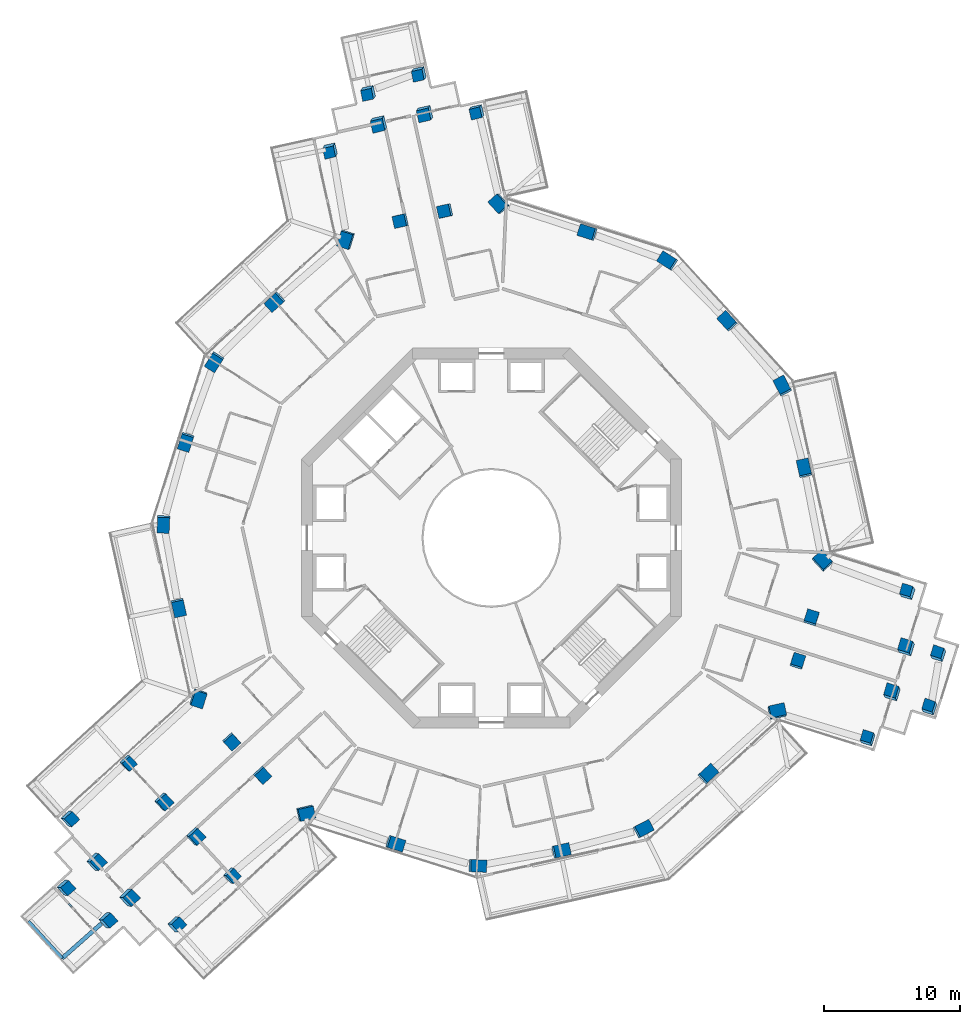
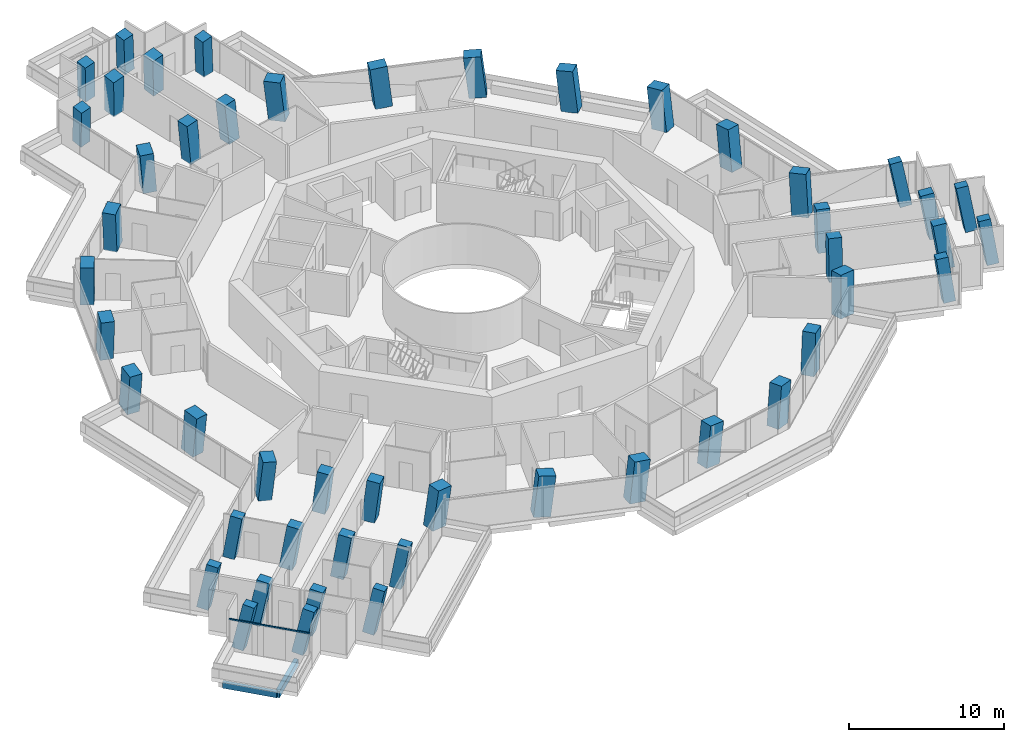
# One storey, part 1 of 24: 49 columns, 2 beams, 1 member, 1 element without a shape of its own.
"""IFC4 building model written with IfcOpenShell, lengths in metres."""

from ifc_helpers import new_model, si_unit, direction, frame, origin, origin_2d, place, context, subcontext, project, spatial, rectangle, extrude, material, layer, layer_set, material_profile, profile_set, type_object, element, aggregate, save


model = new_model("IFC4")

# Units and contexts
model_context = context("Model", 3, precision=1e-05, world=origin(), true_north=direction((0.0, 1.0)))
body_context = subcontext(model_context, "Body", "Model", "MODEL_VIEW")
ifc_project = project(units=[si_unit("LENGTHUNIT", "METRE"), si_unit("AREAUNIT", "SQUARE_METRE"), si_unit("VOLUMEUNIT", "CUBIC_METRE"), si_unit("PLANEANGLEUNIT", "RADIAN"), si_unit("MASSUNIT", "GRAM", prefix="KILO")], contexts=[model_context])

# Site, building, storey
site_placement = place(None, origin())
site = spatial("IfcSite", under=ifc_project, at=site_placement, CompositionType="ELEMENT")
building_placement = place(site_placement, origin())
building = spatial("IfcBuilding", under=site, at=building_placement, Name="Verdalira Terraces Hotel", CompositionType="ELEMENT")
storey_placement = place(building_placement, frame((0.0, 0.0, 86.0)))
storey = spatial("IfcBuildingStorey", under=building, at=storey_placement, Name="L19", CompositionType="ELEMENT", Elevation=86.0)

# Columns
ifc_material_1 = material(Name="Concrete C80", Category="concrete")
ifc_material_profile_1 = material_profile(ifc_material_1, rectangle(XDim=1.149902, YDim=0.899902, at=origin_2d()), Name="RC 1150X900")
ifc_profile_set_1 = profile_set([ifc_material_profile_1], Name="Concrete C80")
column_type_1 = type_object("IfcColumnType", Name="Column RC 1150X900 C80", PredefinedType="COLUMN", material=ifc_profile_set_1)
column_1_placement = place(storey_placement, frame((-10.685791, 21.995605, 0.0), z_axis=(-0.104141217, -0.051690531, 0.993218353), x_axis=(0.293489764, 0.952579581, 0.080348622)))
element("IfcColumn", 1, at=column_1_placement, inside=storey, type_object=column_type_1, Name="Column C03", PredefinedType="COLUMN", context=body_context, shape_type="SweptSolid", body=[
    extrude(rectangle(XDim=1.149902, YDim=0.899902, at=origin_2d()), origin(), (0.0, 0.0, 1.0), 3.21167),
])
column_2_placement = place(storey_placement, frame((-15.943604, 17.411621, 0.0), z_axis=(-0.08213443, -0.076582751, 0.993674503), x_axis=(-0.732490696, -0.671451632, -0.112294638)))
element("IfcColumn", 2, at=column_2_placement, inside=storey, type_object=column_type_1, Name="Column C04", PredefinedType="COLUMN", context=body_context, shape_type="SweptSolid", body=[
    extrude(rectangle(XDim=1.149902, YDim=0.899902, at=origin_2d()), origin(), (0.0, 0.0, 1.0), 3.210205),
])
column_3_placement = place(storey_placement, frame((-20.399414, 13.005859, 0.0), z_axis=(-0.061048974, -0.097541511, 0.993357275), x_axis=(0.534139029, 0.837529173, 0.115066858)))
element("IfcColumn", 3, at=column_3_placement, inside=storey, type_object=column_type_1, Name="Column C05", PredefinedType="COLUMN", context=body_context, shape_type="SweptSolid", body=[
    extrude(rectangle(XDim=1.149902, YDim=0.899902, at=origin_2d()), origin(), (0.0, 0.0, 1.0), 3.211182),
])
column_4_placement = place(storey_placement, frame((-22.513184, 7.106934, 0.0), z_axis=(-0.032929748, -0.107382919, 0.99367225), x_axis=(-0.299377243, -0.947501295, -0.11231457)))
element("IfcColumn", 4, at=column_4_placement, inside=storey, type_object=column_type_1, Name="Column C06", PredefinedType="COLUMN", context=body_context, shape_type="SweptSolid", body=[
    extrude(rectangle(XDim=1.149902, YDim=0.899902, at=origin_2d()), origin(), (0.0, 0.0, 1.0), 3.210205),
])
column_5_placement = place(storey_placement, frame((-24.169189, 1.063721, 0.0), z_axis=(-0.004105432, -0.114952103, 0.993362552), x_axis=(0.043881327, 0.992393334, 0.115021301)))
element("IfcColumn", 5, at=column_5_placement, inside=storey, type_object=column_type_1, Name="Column C07", PredefinedType="COLUMN", context=body_context, shape_type="SweptSolid", body=[
    extrude(rectangle(XDim=1.149902, YDim=0.899902, at=origin_2d()), origin(), (0.0, 0.0, 1.0), 3.211182),
])
column_6_placement = place(storey_placement, frame((-23.050537, -5.101807, 0.0), z_axis=(0.025248696, -0.109436366, 0.993673078), x_axis=(0.215163997, -0.970098725, -0.112307249)))
element("IfcColumn", 6, at=column_6_placement, inside=storey, type_object=column_type_1, Name="Column C08", PredefinedType="COLUMN", context=body_context, shape_type="SweptSolid", body=[
    extrude(rectangle(XDim=1.149902, YDim=0.899902, at=origin_2d()), origin(), (0.0, 0.0, 1.0), 3.210205),
])
column_7_placement = place(storey_placement, frame((-21.619873, -11.797119, 0.0), z_axis=(0.056930104, -0.102306968, 0.993122474), x_axis=(0.306699912, 0.94842803, 0.080121376)))
element("IfcColumn", 7, at=column_7_placement, inside=storey, type_object=column_type_1, Name="Column C09", PredefinedType="COLUMN", context=body_context, shape_type="SweptSolid", body=[
    extrude(rectangle(XDim=1.149902, YDim=0.899902, at=origin_2d()), origin(), (0.0, 0.0, 1.0), 3.211914),
])
column_8_placement = place(storey_placement, frame((-13.705811, -20.251709, 0.0), z_axis=(0.096843399, -0.064384897, 0.993214952), x_axis=(-0.971758684, -0.221869182, 0.080368695)))
element("IfcColumn", 8, at=column_8_placement, inside=storey, type_object=column_type_1, Name="Column C16", PredefinedType="COLUMN", context=body_context, shape_type="SweptSolid", body=[
    extrude(rectangle(XDim=1.149902, YDim=0.899902, at=origin_2d()), origin(), (0.0, 0.0, 1.0), 3.21167),
])
column_9_placement = place(storey_placement, frame((-7.106934, -22.513184, 0.0), z_axis=(0.107382919, -0.032929748, 0.99367225), x_axis=(0.947501295, -0.299377243, -0.11231457)))
element("IfcColumn", 9, at=column_9_placement, inside=storey, type_object=column_type_1, Name="Column C17", PredefinedType="COLUMN", context=body_context, shape_type="SweptSolid", body=[
    extrude(rectangle(XDim=1.149902, YDim=0.899902, at=origin_2d()), origin(), (0.0, 0.0, 1.0), 3.210205),
])
column_10_placement = place(storey_placement, frame((-1.063721, -24.169189, 0.0), z_axis=(0.114952103, -0.004105432, 0.993362552), x_axis=(-0.992393334, 0.043881327, 0.115021301)))
element("IfcColumn", 10, at=column_10_placement, inside=storey, type_object=column_type_1, Name="Column C18", PredefinedType="COLUMN", context=body_context, shape_type="SweptSolid", body=[
    extrude(rectangle(XDim=1.149902, YDim=0.899902, at=origin_2d()), origin(), (0.0, 0.0, 1.0), 3.211182),
])
column_11_placement = place(storey_placement, frame((5.101807, -23.050537, 0.0), z_axis=(0.109436366, 0.025248696, 0.993673078), x_axis=(0.970098725, 0.215163997, -0.112307249)))
element("IfcColumn", 11, at=column_11_placement, inside=storey, type_object=column_type_1, Name="Column C19", PredefinedType="COLUMN", context=body_context, shape_type="SweptSolid", body=[
    extrude(rectangle(XDim=1.149902, YDim=0.899902, at=origin_2d()), origin(), (0.0, 0.0, 1.0), 3.210205),
])
column_12_placement = place(storey_placement, frame((11.16333, -21.463135, 0.0), z_axis=(0.101646695, 0.053978424, 0.993355062), x_axis=(-0.881248043, -0.458428957, 0.115085963)))
element("IfcColumn", 12, at=column_12_placement, inside=storey, type_object=column_type_1, Name="Column C20", PredefinedType="COLUMN", context=body_context, shape_type="SweptSolid", body=[
    extrude(rectangle(XDim=1.149902, YDim=0.899902, at=origin_2d()), origin(), (0.0, 0.0, 1.0), 3.211182),
])
column_13_placement = place(storey_placement, frame((15.943604, -17.411621, 0.0), z_axis=(0.08213443, 0.076582751, 0.993674503), x_axis=(0.732490696, 0.671451632, -0.112294638)))
element("IfcColumn", 13, at=column_13_placement, inside=storey, type_object=column_type_1, Name="Column C21", PredefinedType="COLUMN", context=body_context, shape_type="SweptSolid", body=[
    extrude(rectangle(XDim=1.149902, YDim=0.899902, at=origin_2d()), origin(), (0.0, 0.0, 1.0), 3.210205),
])
column_14_placement = place(storey_placement, frame((21.026611, -12.824707, 0.0), z_axis=(0.060122333, 0.100482585, 0.993120615), x_axis=(-0.974668145, -0.20880815, 0.080132166)))
element("IfcColumn", 14, at=column_14_placement, inside=storey, type_object=column_type_1, Name="Column C22", PredefinedType="COLUMN", context=body_context, shape_type="SweptSolid", body=[
    extrude(rectangle(XDim=1.149902, YDim=0.899902, at=origin_2d()), origin(), (0.0, 0.0, 1.0), 3.212158),
])
column_15_placement = place(storey_placement, frame((24.391602, -1.743652, 0.0), z_axis=(0.007297516, 0.116000105, 0.993222393), x_axis=(0.678248384, -0.730429368, 0.080324764)))
element("IfcColumn", 15, at=column_15_placement, inside=storey, type_object=column_type_1, Name="Column C27", PredefinedType="COLUMN", context=body_context, shape_type="SweptSolid", body=[
    extrude(rectangle(XDim=1.149902, YDim=0.899902, at=origin_2d()), origin(), (0.0, 0.0, 1.0), 3.21167),
])
column_16_placement = place(storey_placement, frame((23.050537, 5.101807, 0.0), z_axis=(-0.025248696, 0.109436366, 0.993673078), x_axis=(-0.215163997, 0.970098725, -0.112307249)))
element("IfcColumn", 16, at=column_16_placement, inside=storey, type_object=column_type_1, Name="Column C28", PredefinedType="COLUMN", context=body_context, shape_type="SweptSolid", body=[
    extrude(rectangle(XDim=1.149902, YDim=0.899902, at=origin_2d()), origin(), (0.0, 0.0, 1.0), 3.210205),
])
column_17_placement = place(storey_placement, frame((21.463135, 11.16333, 0.0), z_axis=(-0.053978424, 0.101646695, 0.993355062), x_axis=(0.458428957, -0.881248043, 0.115085963)))
element("IfcColumn", 17, at=column_17_placement, inside=storey, type_object=column_type_1, Name="Column C29", PredefinedType="COLUMN", context=body_context, shape_type="SweptSolid", body=[
    extrude(rectangle(XDim=1.149902, YDim=0.899902, at=origin_2d()), origin(), (0.0, 0.0, 1.0), 3.211182),
])
column_18_placement = place(storey_placement, frame((17.411621, 15.943604, 0.0), z_axis=(-0.076582751, 0.08213443, 0.993674503), x_axis=(-0.671451632, 0.732490696, -0.112294638)))
element("IfcColumn", 18, at=column_18_placement, inside=storey, type_object=column_type_1, Name="Column C30", PredefinedType="COLUMN", context=body_context, shape_type="SweptSolid", body=[
    extrude(rectangle(XDim=1.149902, YDim=0.899902, at=origin_2d()), origin(), (0.0, 0.0, 1.0), 3.210205),
])
column_19_placement = place(storey_placement, frame((13.005859, 20.399414, 0.0), z_axis=(-0.097541511, 0.061048974, 0.993357275), x_axis=(0.837529173, -0.534139029, 0.115066858)))
element("IfcColumn", 19, at=column_19_placement, inside=storey, type_object=column_type_1, Name="Column C31", PredefinedType="COLUMN", context=body_context, shape_type="SweptSolid", body=[
    extrude(rectangle(XDim=1.149902, YDim=0.899902, at=origin_2d()), origin(), (0.0, 0.0, 1.0), 3.211182),
])
column_20_placement = place(storey_placement, frame((7.106934, 22.513184, 0.0), z_axis=(-0.107382919, 0.032929748, 0.99367225), x_axis=(-0.947501295, 0.299377243, -0.11231457)))
element("IfcColumn", 20, at=column_20_placement, inside=storey, type_object=column_type_1, Name="Column C32", PredefinedType="COLUMN", context=body_context, shape_type="SweptSolid", body=[
    extrude(rectangle(XDim=1.149902, YDim=0.899902, at=origin_2d()), origin(), (0.0, 0.0, 1.0), 3.210205),
])
column_21_placement = place(storey_placement, frame((0.593262, 24.621826, 0.0), z_axis=(-0.117052732, 0.001824198, 0.993124026), x_axis=(0.668179211, -0.739674625, 0.080112366)))
element("IfcColumn", 21, at=column_21_placement, inside=storey, type_object=column_type_1, Name="Column C33", PredefinedType="COLUMN", context=body_context, shape_type="SweptSolid", body=[
    extrude(rectangle(XDim=1.149902, YDim=0.899902, at=origin_2d()), origin(), (0.0, 0.0, 1.0), 3.211914),
])
ifc_material_2 = material(Name="Concrete C80", Category="concrete")
ifc_material_profile_2 = material_profile(ifc_material_2, rectangle(XDim=0.800049, YDim=0.800049, at=origin_2d()), Name="RC 800X800")
ifc_profile_set_2 = profile_set([ifc_material_profile_2], Name="Concrete C80")
column_type_2 = type_object("IfcColumnType", Name="Column RC 800X800 C80", PredefinedType="COLUMN", material=ifc_profile_set_2)
column_22_placement = place(storey_placement, frame((-1.032227, 31.457275, 0.0), z_axis=(-0.113741466, -0.149149418, 0.982251154), x_axis=(-0.231567603, 0.965416786, 0.119778442)))
element("IfcColumn", 22, at=column_22_placement, inside=storey, type_object=column_type_2, Name="Column C01", PredefinedType="COLUMN", context=body_context, shape_type="SweptSolid", body=[
    extrude(rectangle(XDim=0.800049, YDim=0.800049, at=origin_2d()), origin(), (0.0, 0.0, 1.0), 3.247559),
])
column_23_placement = place(storey_placement, frame((-11.837891, 28.635498, 0.0), z_axis=(-0.099256798, -0.198289708, 0.975104753), x_axis=(0.236719045, -0.956516188, -0.170413836)))
element("IfcColumn", 23, at=column_23_placement, inside=storey, type_object=column_type_2, Name="Column C02", PredefinedType="COLUMN", context=body_context, shape_type="SweptSolid", body=[
    extrude(rectangle(XDim=0.800049, YDim=0.800049, at=origin_2d()), origin(), (0.0, 0.0, 1.0), 3.271484),
])
column_24_placement = place(storey_placement, frame((-26.8125, -16.552002, 0.0), z_axis=(0.133115788, -0.075331434, 0.988233455), x_axis=(-0.731940459, -0.679761124, 0.04677584)))
element("IfcColumn", 24, at=column_24_placement, inside=storey, type_object=column_type_2, Name="Column C10", PredefinedType="COLUMN", context=body_context, shape_type="SweptSolid", body=[
    extrude(rectangle(XDim=0.800049, YDim=0.800049, at=origin_2d()), origin(), (0.0, 0.0, 1.0), 3.228027),
])
column_25_placement = place(storey_placement, frame((-31.151611, -20.674561, 0.0), z_axis=(0.204249391, -0.044382517, 0.977912255), x_axis=(-0.718176066, -0.685631102, 0.118882844)))
element("IfcColumn", 25, at=column_25_placement, inside=storey, type_object=column_type_2, Name="Column C11", PredefinedType="COLUMN", context=body_context, shape_type="SweptSolid", body=[
    extrude(rectangle(XDim=0.800049, YDim=0.800049, at=origin_2d()), origin(), (0.0, 0.0, 1.0), 3.261963),
])
column_26_placement = place(storey_placement, frame((-31.460205, -25.75708, 0.0), z_axis=(0.22687272, -0.045419219, 0.972864771), x_axis=(0.644152517, -0.742220521, -0.184868149)))
element("IfcColumn", 26, at=column_26_placement, inside=storey, type_object=column_type_2, Name="Column C12", PredefinedType="COLUMN", context=body_context, shape_type="SweptSolid", body=[
    extrude(rectangle(XDim=0.800049, YDim=0.800049, at=origin_2d()), origin(), (0.0, 0.0, 1.0), 3.278809),
])
column_27_placement = place(storey_placement, frame((-28.380859, -28.157715, 0.0), z_axis=(0.237486625, -0.030837594, 0.970901203), x_axis=(0.642845879, -0.744331966, -0.180884218)))
element("IfcColumn", 27, at=column_27_placement, inside=storey, type_object=column_type_2, Name="Column C13", PredefinedType="COLUMN", context=body_context, shape_type="SweptSolid", body=[
    extrude(rectangle(XDim=0.800049, YDim=0.800049, at=origin_2d()), origin(), (0.0, 0.0, 1.0), 3.285645),
])
column_28_placement = place(storey_placement, frame((-23.299072, -28.480225, 0.0), z_axis=(0.238855314, -0.007283081, 0.971027855), x_axis=(0.707140603, 0.68663004, -0.168793828)))
element("IfcColumn", 28, at=column_28_placement, inside=storey, type_object=column_type_2, Name="Column C14", PredefinedType="COLUMN", context=body_context, shape_type="SweptSolid", body=[
    extrude(rectangle(XDim=0.800049, YDim=0.800049, at=origin_2d()), origin(), (0.0, 0.0, 1.0), 3.285156),
])
column_29_placement = place(storey_placement, frame((-19.19458, -24.871094, 0.0), z_axis=(0.171406096, -0.03880182, 0.984436067), x_axis=(0.723979713, 0.682658621, -0.099149293)))
element("IfcColumn", 29, at=column_29_placement, inside=storey, type_object=column_type_2, Name="Column C15", PredefinedType="COLUMN", context=body_context, shape_type="SweptSolid", body=[
    extrude(rectangle(XDim=0.800049, YDim=0.800049, at=origin_2d()), origin(), (0.0, 0.0, 1.0), 3.240479),
])
column_30_placement = place(storey_placement, frame((27.758789, -14.834717, 0.0), z_axis=(-0.0722448, 0.173056743, 0.982258648), x_axis=(0.951801533, -0.282370273, 0.119753378)))
element("IfcColumn", 30, at=column_30_placement, inside=storey, type_object=column_type_2, Name="Column C23", PredefinedType="COLUMN", context=body_context, shape_type="SweptSolid", body=[
    extrude(rectangle(XDim=0.800049, YDim=0.800049, at=origin_2d()), origin(), (0.0, 0.0, 1.0), 3.247559),
])
column_31_placement = place(storey_placement, frame((32.314697, -12.560791, 0.0), z_axis=(-0.082677353, 0.193487453, 0.97761294), x_axis=(0.318711324, 0.934587246, -0.158018262)))
element("IfcColumn", 31, at=column_31_placement, inside=storey, type_object=column_type_2, Name="Column C24", PredefinedType="COLUMN", context=body_context, shape_type="SweptSolid", body=[
    extrude(rectangle(XDim=0.800049, YDim=0.800049, at=origin_2d()), origin(), (0.0, 0.0, 1.0), 3.262939),
])
column_32_placement = place(storey_placement, frame((32.979492, -8.628418, 0.0), z_axis=(-0.100929567, 0.195961623, 0.975403642), x_axis=(0.320896087, 0.934423897, -0.154524049)))
element("IfcColumn", 32, at=column_32_placement, inside=storey, type_object=column_type_2, Name="Column C25", PredefinedType="COLUMN", context=body_context, shape_type="SweptSolid", body=[
    extrude(rectangle(XDim=0.800049, YDim=0.800049, at=origin_2d()), origin(), (0.0, 0.0, 1.0), 3.270264),
])
column_33_placement = place(storey_placement, frame((30.718018, -4.065918, 0.0), z_axis=(-0.122165715, 0.185151581, 0.975086883), x_axis=(-0.946759009, 0.273104232, -0.170474215)))
element("IfcColumn", 33, at=column_33_placement, inside=storey, type_object=column_type_2, Name="Column C26", PredefinedType="COLUMN", context=body_context, shape_type="SweptSolid", body=[
    extrude(rectangle(XDim=0.800049, YDim=0.800049, at=origin_2d()), origin(), (0.0, 0.0, 1.0), 3.271484),
])
column_34_placement = place(storey_placement, frame((-5.279541, 34.265869, 0.0), z_axis=(-0.126148017, -0.168421819, 0.977609722), x_axis=(-0.968631183, -0.191781936, -0.15802949)))
element("IfcColumn", 34, at=column_34_placement, inside=storey, type_object=column_type_2, Name="Column C34", PredefinedType="COLUMN", context=body_context, shape_type="SweptSolid", body=[
    extrude(rectangle(XDim=0.800049, YDim=0.800049, at=origin_2d()), origin(), (0.0, 0.0, 1.0), 3.262939),
])
column_35_placement = place(storey_placement, frame((-9.017334, 32.875244, 0.0), z_axis=(-0.119218609, -0.18543458, 0.975397837), x_axis=(-0.969641606, -0.189504375, -0.154542057)))
element("IfcColumn", 35, at=column_35_placement, inside=storey, type_object=column_type_2, Name="Column C35", PredefinedType="COLUMN", context=body_context, shape_type="SweptSolid", body=[
    extrude(rectangle(XDim=0.800049, YDim=0.800049, at=origin_2d()), origin(), (0.0, 0.0, 1.0), 3.270508),
])
ifc_material_3 = material(Name="Concrete C80", Category="concrete")
ifc_material_profile_3 = material_profile(ifc_material_3, rectangle(XDim=0.899902, YDim=0.899902, at=origin_2d()), Name="RC 900X900")
ifc_profile_set_3 = profile_set([ifc_material_profile_3], Name="Concrete C80")
column_type_3 = type_object("IfcColumnType", Name="Column RC 900X900 C80", PredefinedType="COLUMN", material=ifc_profile_set_3)
for number, where, z_axis, x_axis, name in (
    (36, (-3.380859, 24.097168, 0.0), (-0.114411274, -0.017028655, 0.993287514), (-0.215165109, 0.976544572, -0.008042056), "Column C36"),
    (37, (-6.657959, 23.371826, 0.0), (-0.110840026, -0.032613423, 0.993303002), (-0.217237065, 0.976087652, 0.007807283), "Column C37"),
):
    element("IfcColumn", number, at=place(storey_placement, frame(where, z_axis=z_axis, x_axis=x_axis)), inside=storey, type_object=column_type_3, Name=name, PredefinedType="COLUMN", context=body_context, shape_type="SweptSolid", body=[
        extrude(rectangle(XDim=0.899902, YDim=0.899902, at=origin_2d()), origin(), (0.0, 0.0, 1.0), 3.211426),
    ])
column_36_placement = place(storey_placement, frame((-4.856689, 31.337891, 0.0), z_axis=(-0.112680998, -0.166584949, 0.97956748), x_axis=(-0.233848081, 0.962601108, 0.136799786)))
element("IfcColumn", 38, at=column_36_placement, inside=storey, type_object=column_type_3, Name="Column C38", PredefinedType="COLUMN", context=body_context, shape_type="SweptSolid", body=[
    extrude(rectangle(XDim=0.899902, YDim=0.899902, at=origin_2d()), origin(), (0.0, 0.0, 1.0), 3.256592),
])
column_37_placement = place(storey_placement, frame((-8.254639, 30.585938, 0.0), z_axis=(-0.108748867, -0.182120696, 0.977243949), x_axis=(-0.235828864, 0.959736177, 0.152614605)))
element("IfcColumn", 39, at=column_37_placement, inside=storey, type_object=column_type_3, Name="Column C39", PredefinedType="COLUMN", context=body_context, shape_type="SweptSolid", body=[
    extrude(rectangle(XDim=0.899902, YDim=0.899902, at=origin_2d()), origin(), (0.0, 0.0, 1.0), 3.26416),
])
for number, where, z_axis, x_axis, name in (
    (40, (-19.178223, -14.976318, 0.0), (0.071915538, -0.090616618, 0.993285852), (-0.738474015, -0.674233965, -0.008043048), "Column C40"),
    (41, (-16.911621, -17.451904, 0.0), (0.083699508, -0.079746397, 0.993294974), (-0.736820909, -0.67604284, 0.007811946), "Column C41"),
):
    element("IfcColumn", number, at=place(storey_placement, frame(where, z_axis=z_axis, x_axis=x_axis)), inside=storey, type_object=column_type_3, Name=name, PredefinedType="COLUMN", context=body_context, shape_type="SweptSolid", body=[
        extrude(rectangle(XDim=0.899902, YDim=0.899902, at=origin_2d()), origin(), (0.0, 0.0, 1.0), 3.211426),
    ])
column_38_placement = place(storey_placement, frame((-24.191162, -19.414551, 0.0), z_axis=(0.146355341, -0.062788481, 0.987237419), x_axis=(-0.729631569, -0.680756707, 0.064869702)))
element("IfcColumn", 42, at=column_38_placement, inside=storey, type_object=column_type_3, Name="Column C42", PredefinedType="COLUMN", context=body_context, shape_type="SweptSolid", body=[
    extrude(rectangle(XDim=0.899902, YDim=0.899902, at=origin_2d()), origin(), (0.0, 0.0, 1.0), 3.231201),
])
column_39_placement = place(storey_placement, frame((-21.848877, -21.9729, 0.0), z_axis=(0.158181383, -0.051469324, 0.986067725), x_axis=(-0.726790095, -0.682068323, 0.080987406)))
element("IfcColumn", 43, at=column_39_placement, inside=storey, type_object=column_type_3, Name="Column C43", PredefinedType="COLUMN", context=body_context, shape_type="SweptSolid", body=[
    extrude(rectangle(XDim=0.899902, YDim=0.899902, at=origin_2d()), origin(), (0.0, 0.0, 1.0), 3.235107),
])
column_40_placement = place(storey_placement, frame((-29.204102, -23.852783, 0.0), z_axis=(0.218464687, -0.035005104, 0.975216808), x_axis=(-0.714190229, -0.686742601, 0.135340006)))
element("IfcColumn", 44, at=column_40_placement, inside=storey, type_object=column_type_3, Name="Column C44", PredefinedType="COLUMN", context=body_context, shape_type="SweptSolid", body=[
    extrude(rectangle(XDim=0.899902, YDim=0.899902, at=origin_2d()), origin(), (0.0, 0.0, 1.0), 3.270996),
])
column_41_placement = place(storey_placement, frame((-26.785889, -26.493652, 0.0), z_axis=(0.230149842, -0.023603203, 0.972868922), x_axis=(-0.710632688, -0.68707057, 0.151443768)))
element("IfcColumn", 45, at=column_41_placement, inside=storey, type_object=column_type_3, Name="Column C45", PredefinedType="COLUMN", context=body_context, shape_type="SweptSolid", body=[
    extrude(rectangle(XDim=0.899902, YDim=0.899902, at=origin_2d()), origin(), (0.0, 0.0, 1.0), 3.278809),
])
for number, where, z_axis, x_axis, name in (
    (46, (22.559082, -9.120605, 0.0), (0.042495329, 0.107644698, 0.993280809), (0.95325043, -0.302074292, -0.008046058), "Column C46"),
    (47, (23.56958, -5.919922, 0.0), (0.027215872, 0.112284479, 0.993303323), (0.95382683, -0.300255604, 0.007807096), "Column C47"),
):
    element("IfcColumn", number, at=place(storey_placement, frame(where, z_axis=z_axis, x_axis=x_axis)), inside=storey, type_object=column_type_3, Name=name, PredefinedType="COLUMN", context=body_context, shape_type="SweptSolid", body=[
        extrude(rectangle(XDim=0.899902, YDim=0.899902, at=origin_2d()), origin(), (0.0, 0.0, 1.0), 3.211426),
    ])
column_42_placement = place(storey_placement, frame((29.567871, -11.462891, 0.0), z_axis=(-0.087941307, 0.180830718, 0.979574692), x_axis=(0.950610003, -0.278626954, 0.136775888)))
element("IfcColumn", 48, at=column_42_placement, inside=storey, type_object=column_type_3, Name="Column C48", PredefinedType="COLUMN", context=body_context, shape_type="SweptSolid", body=[
    extrude(rectangle(XDim=0.899902, YDim=0.899902, at=origin_2d()), origin(), (0.0, 0.0, 1.0), 3.256348),
])
column_43_placement = place(storey_placement, frame((30.615479, -8.144287, 0.0), z_axis=(-0.103289174, 0.185262335, 0.977245728), x_axis=(0.948991252, -0.275909745, 0.152608706)))
element("IfcColumn", 49, at=column_43_placement, inside=storey, type_object=column_type_3, Name="Column C49", PredefinedType="COLUMN", context=body_context, shape_type="SweptSolid", body=[
    extrude(rectangle(XDim=0.899902, YDim=0.899902, at=origin_2d()), origin(), (0.0, 0.0, 1.0), 3.26416),
])

# Beams
ifc_material_4 = material(Name="Concrete C40", Category="concrete")
ifc_material_profile_4 = material_profile(ifc_material_4, rectangle(XDim=0.300049, YDim=0.5, at=origin_2d()), Name="RC 300X500")
ifc_profile_set_4 = profile_set([ifc_material_profile_4], Name="Concrete C40")
beam_type_1 = type_object("IfcBeamType", Name="Balcony cantilever beam RC 300X500 C40", PredefinedType="BEAM", material=ifc_profile_set_4)
beam_1_placement = place(storey_placement, frame((-28.73291, -28.413818, -0.560059), z_axis=(-0.748724221, -0.662881619, 0.0), x_axis=(0.662881619, -0.748724221, 0.0)))
element("IfcBeam", 50, at=beam_1_placement, inside=storey, type_object=beam_type_1, Name="Balcony cantilever beam R19-2", PredefinedType="BEAM", context=body_context, shape_type="SweptSolid", body=[
    extrude(rectangle(XDim=0.300049, YDim=0.5, at=origin_2d()), origin(), (0.0, 0.0, 1.0), 3.86792),
])
ifc_material_5 = material(Name="Concrete C40", Category="concrete")
ifc_material_profile_5 = material_profile(ifc_material_5, rectangle(XDim=0.25, YDim=0.449951, at=origin_2d()), Name="RC 250X450")
ifc_profile_set_5 = profile_set([ifc_material_profile_5], Name="Concrete C40")
beam_type_2 = type_object("IfcBeamType", Name="Balcony edge beam RC 250X450 C40", PredefinedType="BEAM", material=ifc_profile_set_5)
beam_2_placement = place(storey_placement, frame((-34.12085, -28.256592, -0.534912), z_axis=(0.675359008, -0.737489125, 0.0), x_axis=(0.737489125, 0.675359008, 0.0)))
element("IfcBeam", 51, at=beam_2_placement, inside=storey, type_object=beam_type_2, Name="Balcony edge beam R19-1", PredefinedType="BEAM", context=body_context, shape_type="SweptSolid", body=[
    extrude(rectangle(XDim=0.25, YDim=0.449951, at=origin_2d()), origin(), (0.0, 0.0, 1.0), 3.689697),
])

# Curtain wall, member
ifc_material_6 = material(Name="Clear glass", Category="glass")
ifc_layer = layer(ifc_material_6, 0.14990234375)
ifc_layer_set = layer_set([ifc_layer], Name="CW3 curtain wall")
curtain_wall_type = type_object("IfcCurtainWallType", Name="CW3 curtain wall", PredefinedType="NOTDEFINED", material=ifc_layer_set)
curtain_wall_placement = place(storey_placement, origin())
curtain_wall = element("IfcCurtainWall", 52, at=curtain_wall_placement, inside=storey, type_object=curtain_wall_type, Name="CW3 curtain wall L19 edge 19", PredefinedType="NOTDEFINED")
ifc_material_7 = material(Name="Terracotta frame", Category="masonry")
ifc_material_profile_6 = material_profile(ifc_material_7, rectangle(XDim=0.120117, YDim=0.064941, at=origin_2d()), Name="TR 65x120")
ifc_profile_set_6 = profile_set([ifc_material_profile_6], Name="Terracotta frame")
member_type = type_object("IfcMemberType", Name="CW3 transom 65x120", PredefinedType="USERDEFINED", material=ifc_profile_set_6)
member_placement = place(storey_placement, frame((-32.222168, -25.776611, 2.45752), z_axis=(0.675328551, -0.737517016, 0.0), x_axis=(0.737517016, 0.675328551, 0.0)))
member = element("IfcMember", 53, at=member_placement, type_object=member_type, Name="CW3 transom", ObjectType="TRANSOM", PredefinedType="USERDEFINED", context=body_context, shape_type="SweptSolid", body=[
    extrude(rectangle(XDim=0.120117, YDim=0.064941, at=origin_2d()), origin(), (0.0, 0.0, 1.0), 5.5),
])
aggregate(curtain_wall, [member])

save(model, "model.ifc")
